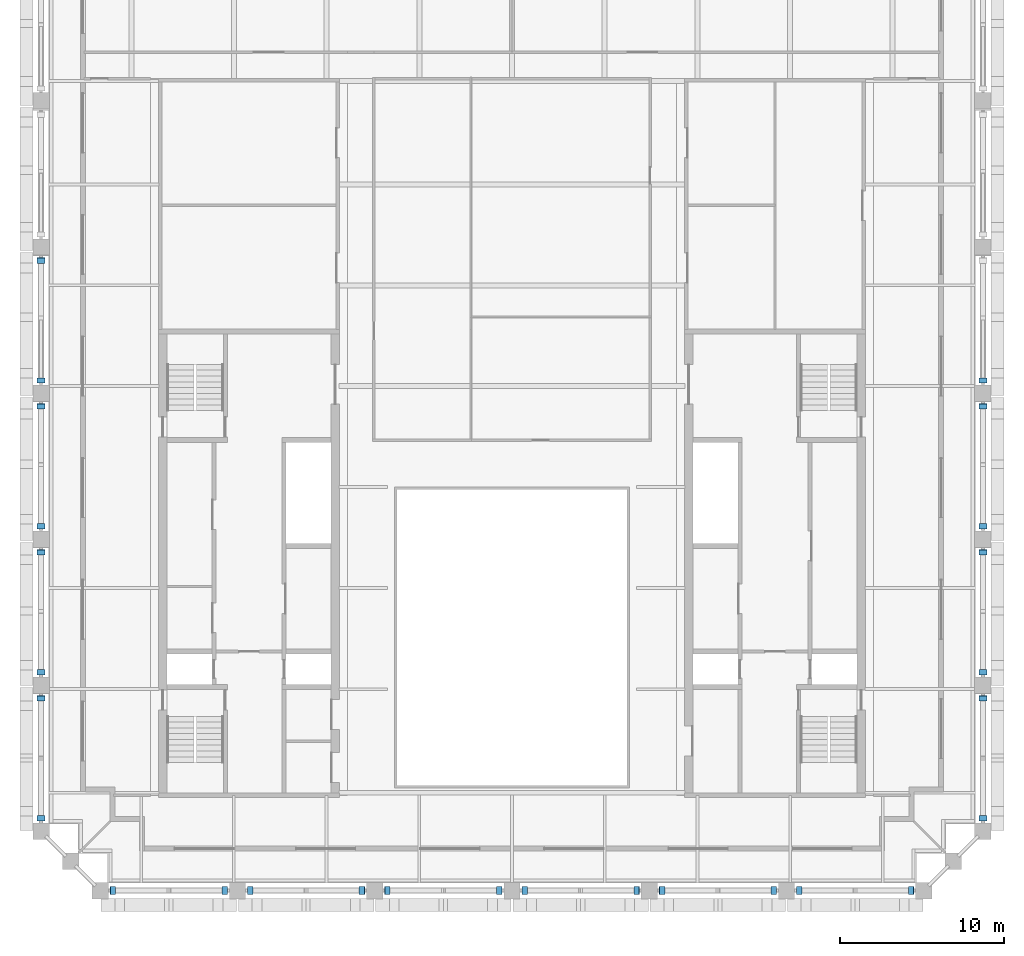
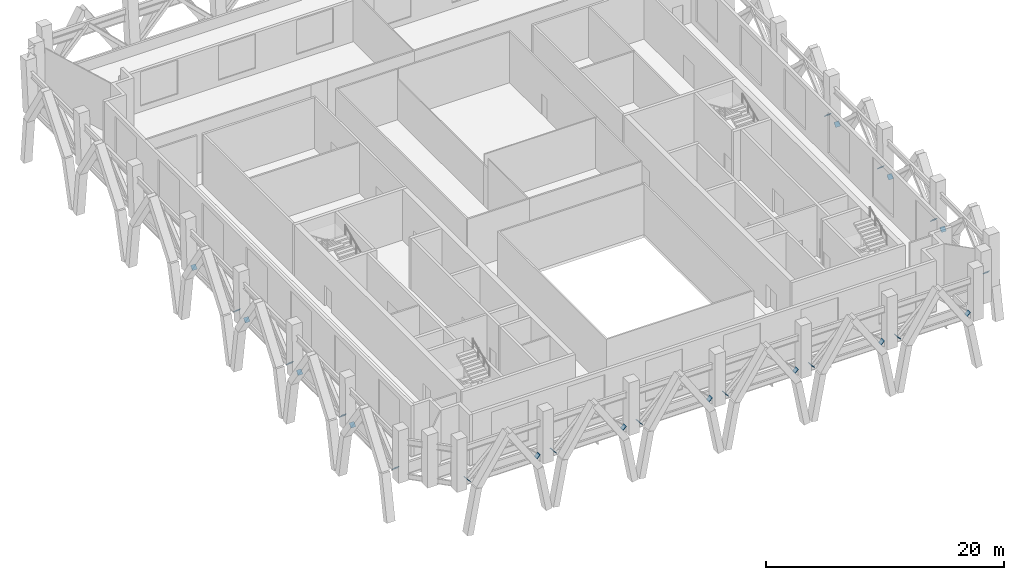
# One storey, part 9 of 13: 27 discrete accessories.
"""IFC4 building model written with IfcOpenShell, lengths in metres."""

from ifc_helpers import new_model, si_unit, direction, frame, origin, origin_2d, place, context, subcontext, project, spatial, rectangle, extrude, material, material_profile, profile_set, type_object, element, save


model = new_model("IFC4")

# Units and contexts
model_context = context("Model", 3, precision=1e-05, world=origin(), true_north=direction((0.0, 1.0)))
body_context = subcontext(model_context, "Body", "Model", "MODEL_VIEW")
ifc_project = project(units=[si_unit("LENGTHUNIT", "METRE"), si_unit("AREAUNIT", "SQUARE_METRE"), si_unit("VOLUMEUNIT", "CUBIC_METRE"), si_unit("PLANEANGLEUNIT", "RADIAN"), si_unit("MASSUNIT", "GRAM", prefix="KILO")], contexts=[model_context])

# Site, building, storey
site_placement = place(None, origin())
site = spatial("IfcSite", under=ifc_project, at=site_placement, CompositionType="ELEMENT")
building_placement = place(site_placement, origin())
building = spatial("IfcBuilding", under=site, at=building_placement, Name="Ogive Exchange Tower", CompositionType="ELEMENT")
storey_placement = place(building_placement, frame((0.0, 0.0, 363.60009765625)))
storey = spatial("IfcBuildingStorey", under=building, at=storey_placement, Name="L80", CompositionType="ELEMENT", Elevation=363.60009765625)

# Discrete accessories
ifc_material = material(Name="Steel ASTM A572 Gr50", Category="steel")
ifc_material_profile = material_profile(ifc_material, rectangle(XDim=0.47607421875, YDim=0.47607421875, at=origin_2d()), Name="PL 476 x 476 x 25")
ifc_profile_set = profile_set([ifc_material_profile], Name="Steel ASTM A572 Gr50")
discrete_accessory_type = type_object("IfcDiscreteAccessoryType", Name="Gusset plate 476 x 476 x 25", PredefinedType="USERDEFINED", material=ifc_profile_set)
for number, where, z_axis, x_axis, name in (
    (1, (-24.29052734375, -8.39990234375, 0.66796875), (0.721582152295, 0.0, 0.692328821796), (0.0, 1.0, 0.0), "Belt truss diagonal 1a end plate A"),
    (2, (-17.45947265625, -8.39990234375, 0.66796875), (-0.721582152295, 0.0, 0.692328821796), (0.0, -1.0, 0.0), "Belt truss diagonal 1b end plate A"),
    (3, (-15.940673828125, -8.39990234375, 0.66796875), (0.721582152295, 0.0, 0.692328821796), (0.0, 1.0, 0.0), "Belt truss diagonal 2a end plate A"),
    (4, (-9.109375, -8.39990234375, 0.66796875), (-0.721582152295, 0.0, 0.692328821796), (0.0, -1.0, 0.0), "Belt truss diagonal 2b end plate A"),
    (5, (-7.590576171875, -8.39990234375, 0.66796875), (0.721582152295, 0.0, 0.692328821796), (0.0, 1.0, 0.0), "Belt truss diagonal 3a end plate A"),
    (6, (-0.759521484375, -8.39990234375, 0.66796875), (-0.721582152295, 0.0, 0.692328821796), (0.0, -1.0, 0.0), "Belt truss diagonal 3b end plate A"),
    (7, (0.759521484375, -8.39990234375, 0.66796875), (0.721582152295, 0.0, 0.692328821796), (0.0, 1.0, 0.0), "Belt truss diagonal 4a end plate A"),
    (8, (7.590576171875, -8.39990234375, 0.66796875), (-0.721582152295, 0.0, 0.692328821796), (0.0, -1.0, 0.0), "Belt truss diagonal 4b end plate A"),
    (9, (9.109375, -8.39990234375, 0.66796875), (0.721582152295, 0.0, 0.692328821796), (0.0, 1.0, 0.0), "Belt truss diagonal 5a end plate A"),
    (10, (15.940673828125, -8.39990234375, 0.66796875), (-0.721582152295, 0.0, 0.692328821796), (0.0, -1.0, 0.0), "Belt truss diagonal 5b end plate A"),
    (11, (17.45947265625, -8.39990234375, 0.66796875), (0.721582152295, 0.0, 0.692328821796), (0.0, 1.0, 0.0), "Belt truss diagonal 6a end plate A"),
    (12, (24.29052734375, -8.39990234375, 0.66796875), (-0.721582152295, 0.0, 0.692328821796), (0.0, -1.0, 0.0), "Belt truss diagonal 6b end plate A"),
):
    element("IfcDiscreteAccessory", number, at=place(storey_placement, frame(where, z_axis=z_axis, x_axis=x_axis)), inside=storey, type_object=discrete_accessory_type, Name=name, ObjectType="GUSSET PLATE", PredefinedType="USERDEFINED", context=body_context, shape_type="SweptSolid", body=[
        extrude(rectangle(XDim=0.47607421875, YDim=0.47607421875, at=origin_2d()), origin(), (0.0, 0.0, 1.0), 0.025146484375),
    ])
for number, where, z_axis, x_axis, name in (
    (13, (28.64990234375, -4.018798828125, 0.66796875), (0.0, 0.745241313525, 0.66679485947), (-1.0, 0.0, 0.0), "Belt truss diagonal 9a end plate A"),
    (14, (28.64990234375, 3.30029296875, 0.66796875), (0.0, -0.745241313525, 0.66679485947), (1.0, 0.0, 0.0), "Belt truss diagonal 9b end plate A"),
    (15, (28.64990234375, 4.862548828125, 0.66796875), (0.0, 0.75439456107, 0.656421241451), (-1.0, 0.0, 0.0), "Belt truss diagonal 10a end plate A"),
):
    element("IfcDiscreteAccessory", number, at=place(storey_placement, frame(where, z_axis=z_axis, x_axis=x_axis)), inside=storey, type_object=discrete_accessory_type, Name=name, ObjectType="GUSSET PLATE", PredefinedType="USERDEFINED", context=body_context, shape_type="SweptSolid", body=[
        extrude(rectangle(XDim=0.47607421875, YDim=0.47607421875, at=origin_2d()), origin(), (0.0, 0.0, 1.0), 0.02490234375),
    ])
discrete_accessory_1_placement = place(storey_placement, frame((28.64990234375, 12.181640625, 0.66796875), z_axis=(0.0, -0.740380722285, 0.672187761022), x_axis=(1.0, 0.0, 0.0)))
element("IfcDiscreteAccessory", 16, at=discrete_accessory_1_placement, inside=storey, type_object=discrete_accessory_type, Name="Belt truss diagonal 10b end plate A", ObjectType="GUSSET PLATE", PredefinedType="USERDEFINED", context=body_context, shape_type="SweptSolid", body=[
    extrude(rectangle(XDim=0.47607421875, YDim=0.47607421875, at=origin_2d()), origin(), (0.0, 0.0, 1.0), 0.025146484375),
])
for number, where, z_axis, x_axis, name in (
    (17, (28.64990234375, 13.743896484375, 0.66796875), (0.0, 0.75439456107, 0.656421241451), (-1.0, 0.0, 0.0), "Belt truss diagonal 11a end plate A"),
    (18, (28.64990234375, 21.06298828125, 0.66796875), (0.0, -0.735931011762, 0.677056530821), (1.0, 0.0, 0.0), "Belt truss diagonal 11b end plate A"),
    (19, (28.64990234375, 22.625244140625, 0.66796875), (0.0, 0.763386285369, 0.645942241466), (-1.0, 0.0, 0.0), "Belt truss diagonal 12a end plate A"),
):
    element("IfcDiscreteAccessory", number, at=place(storey_placement, frame(where, z_axis=z_axis, x_axis=x_axis)), inside=storey, type_object=discrete_accessory_type, Name=name, ObjectType="GUSSET PLATE", PredefinedType="USERDEFINED", context=body_context, shape_type="SweptSolid", body=[
        extrude(rectangle(XDim=0.47607421875, YDim=0.47607421875, at=origin_2d()), origin(), (0.0, 0.0, 1.0), 0.02490234375),
    ])
discrete_accessory_2_placement = place(storey_placement, frame((-28.64990234375, 29.944580078125, 0.66796875), z_axis=(0.0, -0.731055268243, 0.68231825036), x_axis=(1.0, 0.0, 0.0)))
element("IfcDiscreteAccessory", 20, at=discrete_accessory_2_placement, inside=storey, type_object=discrete_accessory_type, Name="Belt truss diagonal 29a end plate A", ObjectType="GUSSET PLATE", PredefinedType="USERDEFINED", context=body_context, shape_type="SweptSolid", body=[
    extrude(rectangle(XDim=0.47607421875, YDim=0.47607421875, at=origin_2d()), origin(), (0.0, 0.0, 1.0), 0.025146484375),
])
for number, where, z_axis, x_axis, name in (
    (21, (-28.64990234375, 22.625244140625, 0.66796875), (0.0, 0.763386285369, 0.645942241466), (-1.0, 0.0, 0.0), "Belt truss diagonal 29b end plate A"),
    (22, (-28.64990234375, 21.06298828125, 0.66796875), (0.0, -0.735931011762, 0.677056530821), (1.0, 0.0, 0.0), "Belt truss diagonal 30a end plate A"),
    (23, (-28.64990234375, 13.743896484375, 0.66796875), (0.0, 0.75439456107, 0.656421241451), (-1.0, 0.0, 0.0), "Belt truss diagonal 30b end plate A"),
):
    element("IfcDiscreteAccessory", number, at=place(storey_placement, frame(where, z_axis=z_axis, x_axis=x_axis)), inside=storey, type_object=discrete_accessory_type, Name=name, ObjectType="GUSSET PLATE", PredefinedType="USERDEFINED", context=body_context, shape_type="SweptSolid", body=[
        extrude(rectangle(XDim=0.47607421875, YDim=0.47607421875, at=origin_2d()), origin(), (0.0, 0.0, 1.0), 0.02490234375),
    ])
discrete_accessory_3_placement = place(storey_placement, frame((-28.64990234375, 12.181640625, 0.66796875), z_axis=(0.0, -0.740380722285, 0.672187761022), x_axis=(1.0, 0.0, 0.0)))
element("IfcDiscreteAccessory", 24, at=discrete_accessory_3_placement, inside=storey, type_object=discrete_accessory_type, Name="Belt truss diagonal 31a end plate A", ObjectType="GUSSET PLATE", PredefinedType="USERDEFINED", context=body_context, shape_type="SweptSolid", body=[
    extrude(rectangle(XDim=0.47607421875, YDim=0.47607421875, at=origin_2d()), origin(), (0.0, 0.0, 1.0), 0.025146484375),
])
for number, where, z_axis, x_axis, name in (
    (25, (-28.64990234375, 4.862548828125, 0.66796875), (0.0, 0.75439456107, 0.656421241451), (-1.0, 0.0, 0.0), "Belt truss diagonal 31b end plate A"),
    (26, (-28.64990234375, 3.30029296875, 0.66796875), (0.0, -0.745241313525, 0.66679485947), (1.0, 0.0, 0.0), "Belt truss diagonal 32a end plate A"),
    (27, (-28.64990234375, -4.018798828125, 0.66796875), (0.0, 0.745241313525, 0.66679485947), (-1.0, 0.0, 0.0), "Belt truss diagonal 32b end plate A"),
):
    element("IfcDiscreteAccessory", number, at=place(storey_placement, frame(where, z_axis=z_axis, x_axis=x_axis)), inside=storey, type_object=discrete_accessory_type, Name=name, ObjectType="GUSSET PLATE", PredefinedType="USERDEFINED", context=body_context, shape_type="SweptSolid", body=[
        extrude(rectangle(XDim=0.47607421875, YDim=0.47607421875, at=origin_2d()), origin(), (0.0, 0.0, 1.0), 0.02490234375),
    ])

save(model, "model.ifc")
